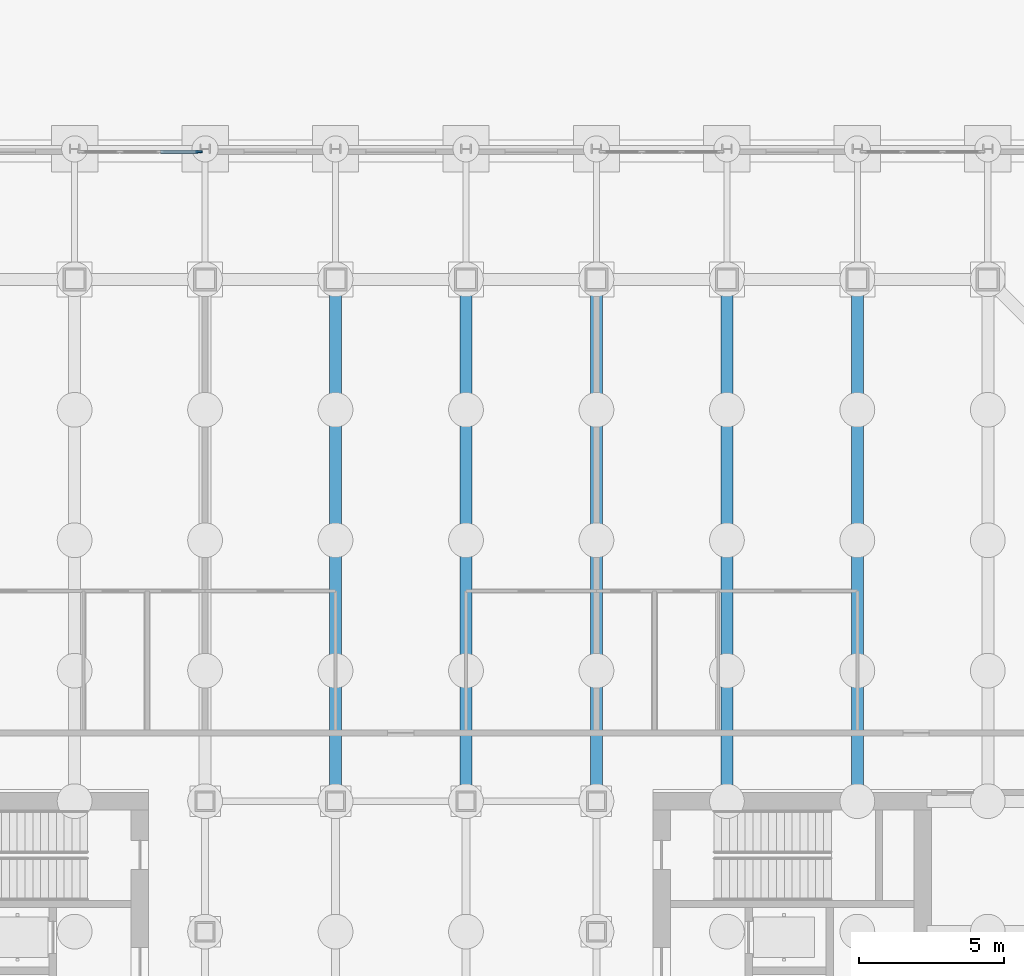
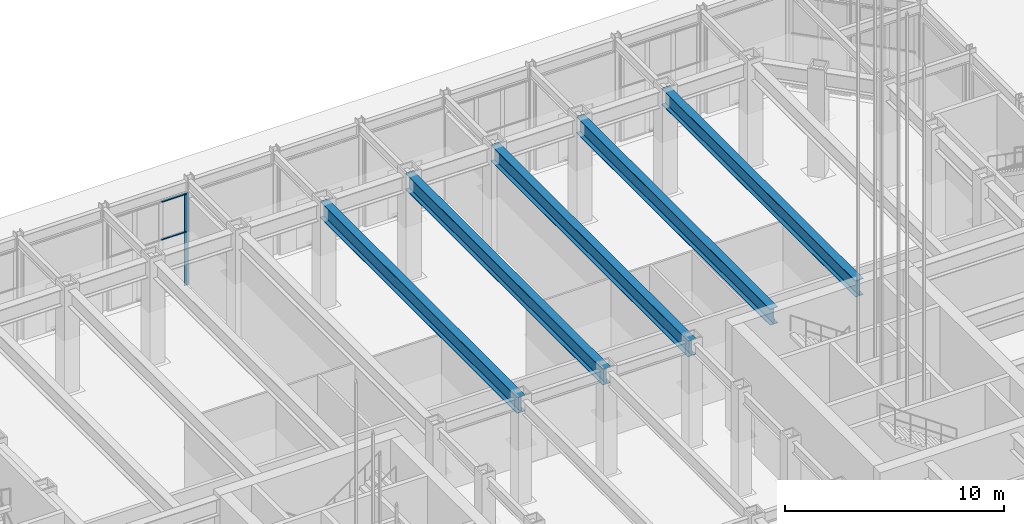
# One storey, part 10 of 39: 5 beams, 3 members, 1 element without a shape of its own.
"""IFC4 building model written with IfcOpenShell, lengths in metres."""

from ifc_helpers import new_model, si_unit, direction, frame, origin, origin_2d, place, context, subcontext, project, spatial, rectangle, i_section, extrude, material, material_profile, profile_set, type_object, element, aggregate, save


model = new_model("IFC4")

# Units and contexts
model_context = context("Model", 3, precision=1e-05, world=origin(), true_north=direction((0.0, 1.0)))
body_context = subcontext(model_context, "Body", "Model", "MODEL_VIEW")
ifc_project = project(units=[si_unit("LENGTHUNIT", "METRE"), si_unit("AREAUNIT", "SQUARE_METRE"), si_unit("VOLUMEUNIT", "CUBIC_METRE"), si_unit("PLANEANGLEUNIT", "RADIAN"), si_unit("MASSUNIT", "GRAM", prefix="KILO")], contexts=[model_context])

# Site, building, storey
site_placement = place(None, origin())
site = spatial("IfcSite", under=ifc_project, at=site_placement, CompositionType="ELEMENT")
building_placement = place(site_placement, origin())
building = spatial("IfcBuilding", under=site, at=building_placement, Name="Msasa Ring Tower", CompositionType="ELEMENT")
storey_placement = place(building_placement, origin())
storey = spatial("IfcBuildingStorey", under=building, at=storey_placement, Name="L00", CompositionType="ELEMENT", Elevation=0.0)

# Curtain wall, members
ifc_material_1 = material(Name="Aluminium curtain wall with clear glass", Category="aluminium")
curtain_wall_type = type_object("IfcCurtainWallType", Name="CW-F PLAZA SHOPFRONT CURTAIN WALL", PredefinedType="NOTDEFINED", material=ifc_material_1)
curtain_wall_placement = place(storey_placement, origin())
curtain_wall = element("IfcCurtainWall", 1, at=curtain_wall_placement, inside=storey, type_object=curtain_wall_type, Name="Plaza shopfront curtain wall N L00 29", PredefinedType="NOTDEFINED")
ifc_material_2 = material(Name="Aluminium mullion", Category="aluminium")
ifc_material_profile_1 = material_profile(ifc_material_2, rectangle(XDim=0.054931640625, YDim=0.22509765625, at=origin_2d()), Name="AL 55x225")
ifc_profile_set_1 = profile_set([ifc_material_profile_1], Name="Aluminium mullion")
member_type_1 = type_object("IfcMemberType", Name="CW-F MULLION 55x225", PredefinedType="MULLION", material=ifc_profile_set_1)
member_1_placement = place(storey_placement, frame((-6.965087890625, 29.14990234375, 0.0), z_axis=(0.0, 0.0, 1.0), x_axis=(0.0, 1.0, 0.0)))
member_1 = element("IfcMember", 2, at=member_1_placement, type_object=member_type_1, Name="CW-F mullion 4", PredefinedType="MULLION", context=body_context, shape_type="SweptSolid", body=[
    extrude(rectangle(XDim=0.054931640625, YDim=0.22509765625, at=origin_2d()), origin(), (0.0, 0.0, 1.0), 5.1328125),
])
ifc_material_3 = material(Name="Aluminium transom", Category="aluminium")
ifc_material_profile_2 = material_profile(ifc_material_3, rectangle(XDim=0.110107421875, YDim=0.054931640625, at=origin_2d()), Name="AL 55x110")
ifc_profile_set_2 = profile_set([ifc_material_profile_2], Name="Aluminium transom")
member_type_2 = type_object("IfcMemberType", Name="CW-F TRANSOM 55x110", PredefinedType="USERDEFINED", material=ifc_profile_set_2)
member_2_placement = place(storey_placement, frame((-8.284912109375, 29.14990234375, 3.0), z_axis=(1.0, 0.0, 0.0), x_axis=(0.0, 1.0, 0.0)))
member_2 = element("IfcMember", 3, at=member_2_placement, type_object=member_type_2, Name="CW-F transom 3.2", ObjectType="TRANSOM", PredefinedType="USERDEFINED", context=body_context, shape_type="SweptSolid", body=[
    extrude(rectangle(XDim=0.110107421875, YDim=0.054931640625, at=origin_2d()), origin(), (0.0, 0.0, 1.0), 1.292236328125),
])
member_3_placement = place(storey_placement, frame((-8.284912109375, 29.14990234375, 5.105224609375), z_axis=(1.0, 0.0, 0.0), x_axis=(0.0, 1.0, 0.0)))
member_3 = element("IfcMember", 4, at=member_3_placement, type_object=member_type_2, Name="CW-F transom 3.3", ObjectType="TRANSOM", PredefinedType="USERDEFINED", context=body_context, shape_type="SweptSolid", body=[
    extrude(rectangle(XDim=0.110107421875, YDim=0.054931640625, at=origin_2d()), origin(), (0.0, 0.0, 1.0), 1.292236328125),
])
aggregate(curtain_wall, [member_1, member_2, member_3])

# Beams
ifc_material_4 = material(Name="Steel S355", Category="steel")
ifc_material_profile_3 = material_profile(ifc_material_4, i_section(OverallWidth=0.41845703125, OverallDepth=0.911865234375, WebThickness=0.019287109375, FlangeThickness=0.031982421875, FilletRadius=0.024169921875, at=origin_2d()), Name="UB 914x419x343")
ifc_profile_set_3 = profile_set([ifc_material_profile_3], Name="Steel S355")
beam_type = type_object("IfcBeamType", Name="FB1 UB 914x419x343", PredefinedType="BEAM", material=ifc_profile_set_3)
for number, where, z_axis, x_axis, name in (
    (5, (-2.25, 24.75, 5.294189453125), (0.0, -1.0, 0.0), (1.0, 0.0, 0.0), "Floor beam N-2.25 under L01"),
    (6, (2.25, 24.75, 5.294189453125), (0.0, -1.0, 0.0), (1.0, 0.0, 0.0), "Floor beam N+2.25 under L01"),
    (7, (6.75, 24.75, 5.294189453125), (0.0, -1.0, 0.0), (1.0, 0.0, 0.0), "Floor beam N+6.75 under L01"),
):
    element("IfcBeam", number, at=place(storey_placement, frame(where, z_axis=z_axis, x_axis=x_axis)), inside=storey, type_object=beam_type, Name=name, PredefinedType="BEAM", context=body_context, shape_type="SweptSolid", body=[
        extrude(i_section(OverallWidth=0.41845703125, OverallDepth=0.911865234375, WebThickness=0.019287109375, FlangeThickness=0.031982421875, FilletRadius=0.024169921875, at=origin_2d()), origin(), (0.0, 0.0, 1.0), 18.0),
    ])
for number, where, z_axis, x_axis, name in (
    (8, (11.25, 24.75, 5.294189453125), (0.0, -1.0, 0.0), (1.0, 0.0, 0.0), "Floor beam N+11.25 under L01"),
    (9, (15.75, 24.75, 5.294189453125), (0.0, -1.0, 0.0), (1.0, 0.0, 0.0), "Floor beam N+15.75 under L01"),
):
    element("IfcBeam", number, at=place(storey_placement, frame(where, z_axis=z_axis, x_axis=x_axis)), inside=storey, type_object=beam_type, Name=name, PredefinedType="BEAM", context=body_context, shape_type="SweptSolid", body=[
        extrude(i_section(OverallWidth=0.41845703125, OverallDepth=0.911865234375, WebThickness=0.019287109375, FlangeThickness=0.031982421875, FilletRadius=0.024169921875, at=origin_2d()), origin(), (0.0, 0.0, 1.0), 17.699951171875),
    ])

save(model, "model.ifc")
